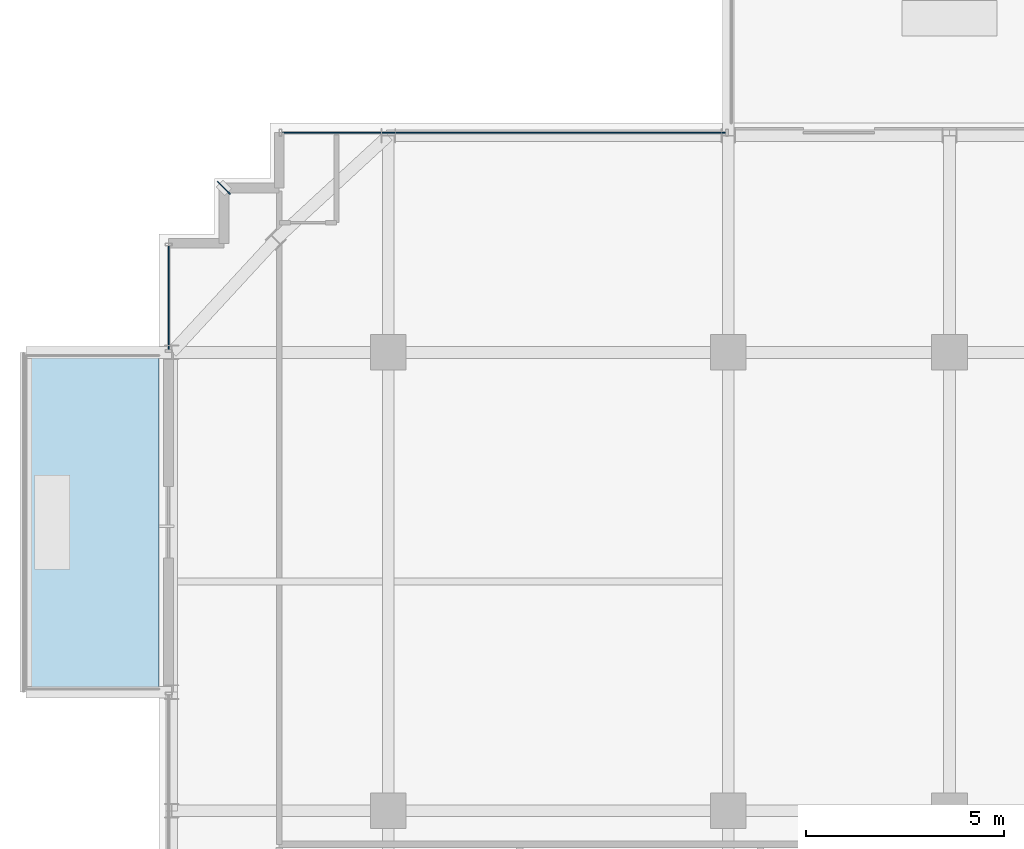
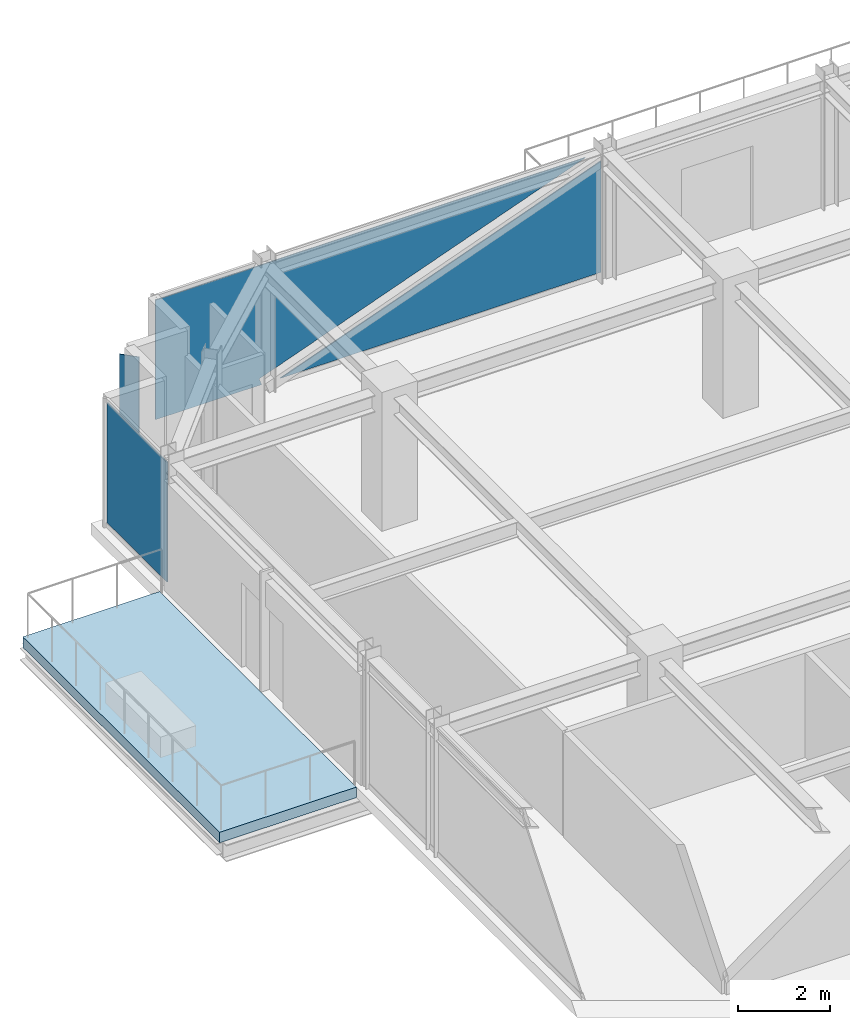
# One storey, part 28 of 36: 3 plates, 1 slab, 2 elements without a shape of their own.
"""IFC4 building model written with IfcOpenShell, lengths in metres."""

import ifcopenshell
import ifcopenshell.guid

model = None  # the IFC model being written
_history = None  # IfcOwnerHistory: only IFC2X3 demands one
_inside = {}  # id of a spatial element -> (the spatial element, [elements in it])
_under = {}  # id of a project, library or spatial element -> (it, [spatial elements below it])
_declared = {}  # id of a project -> (the project, [libraries it declares])
_typed = {}  # id of a type object -> (the type object, [elements of that type])
_made_of = {}  # id of a material, layer set ... -> (it, [elements and type objects made of it])


def new_model(schema):
    """Start an empty IFC model of exactly this schema.

    Asked for "IFC4X3", IfcOpenShell would pick the latest addendum, in which some entities
    have other attributes; the version numbers below select the first issue.
    IFC2X3 requires an IfcOwnerHistory on every rooted entity: one is made here for all.
    """
    global model, _history
    if schema == "IFC4X3":
        model = ifcopenshell.file(schema_version=(4, 3, 0, 0))
    else:
        model = ifcopenshell.file(schema=schema)
    _inside.clear()
    _under.clear()
    _declared.clear()
    _typed.clear()
    _made_of.clear()
    _history = None
    if model.schema == "IFC2X3":
        org = make("IfcOrganization", Name="unknown")
        user = make(
            "IfcPersonAndOrganization",
            ThePerson=make("IfcPerson", FamilyName="unknown"),
            TheOrganization=org,
        )
        app = make(
            "IfcApplication",
            ApplicationDeveloper=org,
            Version="unknown",
            ApplicationFullName="unknown",
            ApplicationIdentifier="unknown",
        )
        _history = make(
            "IfcOwnerHistory",
            OwningUser=user,
            OwningApplication=app,
            ChangeAction="ADDED",
            CreationDate=0,
        )
    return model


def make(cls, **values):
    """One entity of the class cls with the attributes given. An attribute that is None is left unset."""
    return model.create_entity(
        cls, **{name: value for name, value in values.items() if value is not None}
    )


def rooted(cls, **values):
    """An entity with a GlobalId (a new one), such as an element, a storey or a relation."""
    return make(cls, GlobalId=ifcopenshell.guid.new(), OwnerHistory=_history, **values)


def si_unit(unit_type, name, prefix=None):
    """IfcSIUnit, for example si_unit("LENGTHUNIT", "METRE", prefix="MILLI")."""
    return make("IfcSIUnit", UnitType=unit_type, Prefix=prefix, Name=name)


def assignment(units):
    """IfcUnitAssignment: the units of a project."""
    return None if units is None else make("IfcUnitAssignment", Units=units)


def point(xyz):
    """IfcCartesianPoint."""
    return None if xyz is None else make("IfcCartesianPoint", Coordinates=xyz)


def direction(xyz):
    """IfcDirection."""
    return None if xyz is None else make("IfcDirection", DirectionRatios=xyz)


def frame(location, z_axis=None, x_axis=None):
    """IfcAxis2Placement3D, a coordinate frame: its origin and axes. An axis left out is left unset."""
    return make(
        "IfcAxis2Placement3D",
        Location=point(location),
        Axis=direction(z_axis),
        RefDirection=direction(x_axis),
    )


def frame_2d(location, x_axis=None):
    """IfcAxis2Placement2D, a coordinate frame in the plane: its origin and x axis."""
    return make(
        "IfcAxis2Placement2D", Location=point(location), RefDirection=direction(x_axis)
    )


def origin():
    """The frame at (0, 0, 0) with its axes left unset."""
    return frame((0.0, 0.0, 0.0))


def origin_2d():
    """The frame at (0, 0) in the plane with its x axis left unset."""
    return frame_2d((0.0, 0.0))


def place(relative_to, where):
    """IfcLocalPlacement: puts the frame where relative to a parent placement (None: the world)."""
    return make(
        "IfcLocalPlacement", PlacementRelTo=relative_to, RelativePlacement=where
    )


def context(
    kind, dimensions, precision=None, world=None, true_north=None, identifier=None
):
    """IfcGeometricRepresentationContext, for example the 3D "Model" context."""
    return make(
        "IfcGeometricRepresentationContext",
        ContextIdentifier=identifier,
        ContextType=kind,
        CoordinateSpaceDimension=dimensions,
        Precision=precision,
        WorldCoordinateSystem=world,
        TrueNorth=true_north,
    )


def subcontext(parent, identifier, kind, view, scale=None):
    """IfcGeometricRepresentationSubContext, for example "Body" below "Model"."""
    return make(
        "IfcGeometricRepresentationSubContext",
        ContextIdentifier=identifier,
        ContextType=kind,
        ParentContext=parent,
        TargetScale=scale,
        TargetView=view,
    )


def project(units=None, contexts=None):
    """IfcProject with its units and contexts."""
    return rooted(
        "IfcProject",
        Name="project",
        RepresentationContexts=contexts,
        UnitsInContext=assignment(units),
    )


def spatial(cls, under=None, at=None, **own):
    """A site, building, storey or space (cls), placed at a placement, below another one or the project."""
    s = rooted(cls, ObjectPlacement=at, **own)
    if under is not None:
        _under.setdefault(under.id(), (under, []))[1].append(s)
    return s


def polyline(points):
    """IfcPolyline through the points."""
    return make("IfcPolyline", Points=[point(p) for p in points])


def profile(cls, at=None, kind="AREA", **sizes):
    """A parametric profile (cls). Its sizes go by their IFC names, for example OverallWidth=200.0."""
    return make(cls, ProfileType=kind, Position=at, **sizes)


def rectangle(**sizes):
    """IfcRectangleProfileDef."""
    return profile("IfcRectangleProfileDef", **sizes)


def outline(outer, holes=None, kind="AREA"):
    """IfcArbitraryClosedProfileDef: a profile drawn as a closed curve; with holes, ...WithVoids."""
    if holes is None:
        return make("IfcArbitraryClosedProfileDef", ProfileType=kind, OuterCurve=outer)
    return make(
        "IfcArbitraryProfileDefWithVoids",
        ProfileType=kind,
        OuterCurve=outer,
        InnerCurves=holes,
    )


def extrude(swept, where, along, depth):
    """IfcExtrudedAreaSolid: the profile swept, set in the frame where, extruded along a direction by depth."""
    return make(
        "IfcExtrudedAreaSolid",
        SweptArea=swept,
        Position=where,
        ExtrudedDirection=direction(along),
        Depth=depth,
    )


def shape(context_of_items, identifier, shape_type, items):
    """IfcShapeRepresentation: the items that make up one representation, for example the "Body"."""
    return make(
        "IfcShapeRepresentation",
        ContextOfItems=context_of_items,
        RepresentationIdentifier=identifier,
        RepresentationType=shape_type,
        Items=items,
    )


def source(mapping_origin, context_of_items, identifier, shape_type, items):
    """IfcRepresentationMap: a shape defined once, which mapped items show again and again."""
    return make(
        "IfcRepresentationMap",
        MappingOrigin=mapping_origin,
        MappedRepresentation=shape(context_of_items, identifier, shape_type, items),
    )


def transform(
    local_origin,
    x_axis=None,
    y_axis=None,
    z_axis=None,
    scale=None,
    scale2=None,
    scale3=None,
    uniform=True,
):
    """IfcCartesianTransformationOperator3D, or its non-uniform kind. x_axis, y_axis, z_axis: its Axis1, 2, 3."""
    if uniform:
        return make(
            "IfcCartesianTransformationOperator3D",
            Axis1=direction(x_axis),
            Axis2=direction(y_axis),
            LocalOrigin=point(local_origin),
            Scale=scale,
            Axis3=direction(z_axis),
        )
    return make(
        "IfcCartesianTransformationOperator3DnonUniform",
        Axis1=direction(x_axis),
        Axis2=direction(y_axis),
        LocalOrigin=point(local_origin),
        Scale=scale,
        Axis3=direction(z_axis),
        Scale2=scale2,
        Scale3=scale3,
    )


def mapped(mapping_source, mapping_target):
    """IfcMappedItem: shows the shape of a source again, moved by a transform."""
    return make(
        "IfcMappedItem", MappingSource=mapping_source, MappingTarget=mapping_target
    )


def material(Name=None, Category=None):
    """IfcMaterial."""
    return make("IfcMaterial", Name=Name, Category=Category)


def layer(
    of_material, thickness, ventilated=None, Name=None, Category=None, Priority=None
):
    """IfcMaterialLayer: one layer of a wall or slab, of a material (None: an air gap)."""
    return make(
        "IfcMaterialLayer",
        Material=of_material,
        LayerThickness=thickness,
        IsVentilated=ventilated,
        Name=Name,
        Category=Category,
        Priority=Priority,
    )


def layer_set(layers, Name=None):
    """IfcMaterialLayerSet."""
    return make("IfcMaterialLayerSet", MaterialLayers=layers, LayerSetName=Name)


def made_of(thing, what):
    """Note that an element or type object is made of a material, layer set ...; save() writes the relation."""
    if what is not None:
        _made_of.setdefault(what.id(), (what, []))[1].append(thing)
    return thing


def type_object(cls, material=None, **own):
    """A type object (cls), such as IfcWallType, which elements share."""
    return made_of(rooted(cls, **own), material)


def element(
    cls,
    number,
    at=None,
    inside=None,
    cuts=None,
    type_object=None,
    material=None,
    context=None,
    identifier="Body",
    shape_type=None,
    held_by="IfcProductDefinitionShape",
    body=None,
    shapes=None,
    **own,
):
    """One element of the class cls, such as IfcWall. Its Tag is "e" and its number.

    at: its placement. inside: the storey or other place that contains it. cuts: it is an
    opening in that element (IfcRelVoidsElement). A single representation is given by context,
    identifier, shape_type and body (its items); several are given by shapes. held_by: the class
    of the entity that holds the representations. save() writes the other relations.
    """
    e = rooted(cls, Tag="e%d" % number, ObjectPlacement=at, **own)
    if body is not None:
        shapes = [shape(context, identifier, shape_type, body)]
    if shapes is not None:
        e.Representation = make(held_by, Representations=shapes)
    if inside is not None:
        _inside.setdefault(inside.id(), (inside, []))[1].append(e)
    if cuts is not None:
        rooted(
            "IfcRelVoidsElement", RelatingBuildingElement=cuts, RelatedOpeningElement=e
        )
    if type_object is not None:
        _typed.setdefault(type_object.id(), (type_object, []))[1].append(e)
    return made_of(e, material)


def aggregate(whole, parts):
    """IfcRelAggregates: a whole, such as a stair, and the parts it consists of."""
    return rooted("IfcRelAggregates", RelatingObject=whole, RelatedObjects=parts)


def save(model, path):
    """Write the relations noted so far, then the file.

    IfcRelAggregates (storeys below a building ...), IfcRelContainedInSpatialStructure (elements
    in a storey), IfcRelDefinesByType, IfcRelAssociatesMaterial and IfcRelDeclares: one each for
    every whole, place, type object, material and project.
    """
    for whole, parts in _under.values():
        aggregate(whole, parts)
    for where, things in _inside.values():
        rooted(
            "IfcRelContainedInSpatialStructure",
            RelatedElements=things,
            RelatingStructure=where,
        )
    for kind, things in _typed.values():
        rooted("IfcRelDefinesByType", RelatedObjects=things, RelatingType=kind)
    for what, things in _made_of.values():
        rooted("IfcRelAssociatesMaterial", RelatedObjects=things, RelatingMaterial=what)
    for by, libraries in _declared.values():
        rooted("IfcRelDeclares", RelatingContext=by, RelatedDefinitions=libraries)
    model.write(path)


model = new_model("IFC4")

# Units and contexts
model_context = context("Model", 3, precision=1e-05, world=origin(), true_north=direction((0.0, 1.0)))
body_context = subcontext(model_context, "Body", "Model", "MODEL_VIEW")
ifc_project = project(units=[si_unit("LENGTHUNIT", "METRE"), si_unit("AREAUNIT", "SQUARE_METRE"), si_unit("VOLUMEUNIT", "CUBIC_METRE"), si_unit("PLANEANGLEUNIT", "RADIAN"), si_unit("MASSUNIT", "GRAM", prefix="KILO")], contexts=[model_context])

# Site, building, storey
site_placement = place(None, origin())
site = spatial("IfcSite", under=ifc_project, at=site_placement, CompositionType="ELEMENT")
building_placement = place(site_placement, origin())
building = spatial("IfcBuilding", under=site, at=building_placement, Name="Nahalor Promenade Grand Hotel", CompositionType="ELEMENT")
storey_placement = place(building_placement, frame((0.0, 0.0, 273.800048828125)))
storey = spatial("IfcBuildingStorey", under=building, at=storey_placement, Name="L70", CompositionType="ELEMENT", Elevation=273.800048828125)

# Curtain wall, plate
ifc_material_1 = material(Name="Anodised Bronze Aluminium EN AW-6063 T6", Category="aluminium")
curtain_wall_type = type_object("IfcCurtainWallType", Name="CW2 Typical Hotel Flush Bronze Unitised Curtain Wall", PredefinedType="USERDEFINED", material=ifc_material_1)
curtain_wall_1_placement = place(storey_placement, origin())
curtain_wall_1 = element("IfcCurtainWall", 1, at=curtain_wall_1_placement, inside=storey, type_object=curtain_wall_type, Name="L70 Curtain Wall CW-L70-N-1", ObjectType="UNITISED_CURTAIN_WALL", PredefinedType="USERDEFINED")
ifc_material_2 = material(Name="Low-E Laminated Solar Glass", Category="glass")
ifc_layer_1 = layer(ifc_material_2, 0.028076171875)
ifc_layer_set_1 = layer_set([ifc_layer_1], Name="Low-E Laminated Solar Glass")
plate_type_1 = type_object("IfcPlateType", Name="CWP2 Bronze Low-E Vision IGU 28mm", PredefinedType="CURTAIN_PANEL", material=ifc_layer_set_1)
plate_1_placement = place(storey_placement, frame((-14.080078125, 22.56005859375, 0.1298828125), z_axis=(0.0, 0.0, 1.0), x_axis=(1.0, 0.0, 0.0)))
plate_1 = element("IfcPlate", 2, at=plate_1_placement, type_object=plate_type_1, Name="CW-L70-N-1 Glazing Panel 0-0", PredefinedType="CURTAIN_PANEL", context=body_context, shape_type="SweptSolid", body=[
    extrude(outline(polyline([(-5.614990234375, 3.18994140625), (-5.614990234375, 0.0), (-2.939208984375, 0.0), (-3.003662109375, 0.17578125), (5.225830078125, 3.18994140625), (-5.614990234375, 3.18994140625)])), frame((0.0, 0.01416015625, 0.0), z_axis=(0.0, -1.0, 0.0), x_axis=(1.0, 0.0, 0.0)), (0.0, 0.0, 1.0), 0.028076171875),
    extrude(outline(polyline([(-2.4658203125, 0.0), (5.614990234375, 0.0), (5.614990234375, 2.959716796875), (-2.4658203125, 0.0)])), frame((0.0, 0.01416015625, 0.0), z_axis=(0.0, -1.0, 0.0), x_axis=(1.0, 0.0, 0.0)), (0.0, 0.0, 1.0), 0.028076171875),
])
aggregate(curtain_wall_1, [plate_1])

# Slab
ifc_material_3 = material(Name="Concrete B-50 (C40/50)", Category="concrete")
ifc_layer_2 = layer(ifc_material_3, 0.280029296875)
ifc_layer_set_2 = layer_set([ifc_layer_2], Name="Concrete B-50 (C40/50)")
slab_type = type_object("IfcSlabType", Name="Slab-Balcony-280", PredefinedType="FLOOR", material=ifc_layer_set_2)
slab_placement = place(storey_placement, frame((0.0, 0.0, -0.280029296875)))
element("IfcSlab", 3, at=slab_placement, inside=storey, type_object=slab_type, Name="L70 Cantilevered Planted Balcony 2", PredefinedType="FLOOR", context=body_context, shape_type="SweptSolid", body=[
    extrude(outline(polyline([(-26.25, 8.39990234375), (-22.800048828125, 8.39990234375), (-22.800048828125, 17.0), (-26.25, 17.0), (-26.25, 8.39990234375)])), origin(), (0.0, 0.0, 1.0), 0.280029296875),
])

# Plate
ifc_layer_3 = layer(ifc_material_1, 0.02001953125)
ifc_layer_set_3 = layer_set([ifc_layer_3], Name="Anodised Bronze Aluminium EN AW-6063 T6")
plate_type_2 = type_object("IfcPlateType", Name="Plate-CornerFin-20", PredefinedType="SHEET", material=ifc_layer_set_3)
shared_shape_1 = source(origin(), body_context, "Body", "SweptSolid", [
    extrude(rectangle(XDim=0.449951171875, YDim=0.02001953125, at=origin_2d()), origin(), (0.0, 0.0, 1.0), 3.199951171875),
])
plate_2_placement = place(storey_placement, frame((-21.159912109375, 21.159912109375, 0.0), z_axis=(0.0, 0.0, 1.0), x_axis=(-0.707106781187, 0.707106781187, 0.0)))
element("IfcPlate", 4, at=plate_2_placement, inside=storey, type_object=plate_type_2, Name="FIN-L70-NW", PredefinedType="SHEET", context=body_context, shape_type="MappedRepresentation", body=[
    mapped(shared_shape_1, transform((0.0, 0.0, 0.0), scale=1.0)),
])

# Curtain wall, plate
curtain_wall_2_placement = place(storey_placement, origin())
curtain_wall_2 = element("IfcCurtainWall", 5, at=curtain_wall_2_placement, inside=storey, type_object=curtain_wall_type, Name="L70 Curtain Wall CW-L70-W-3", ObjectType="UNITISED_CURTAIN_WALL", PredefinedType="USERDEFINED")
shared_shape_2 = source(origin(), body_context, "Body", "SweptSolid", [
    extrude(rectangle(XDim=2.6298828125, YDim=0.028076171875, at=origin_2d()), origin(), (0.0, 0.0, 1.0), 3.18994140625),
])
plate_3_placement = place(storey_placement, frame((-22.56005859375, 18.3798828125, 0.1298828125), z_axis=(0.0, 0.0, 1.0), x_axis=(0.0, 1.0, 0.0)))
plate_3 = element("IfcPlate", 6, at=plate_3_placement, type_object=plate_type_1, Name="CW-L70-W-3 Glazing Panel 0-0", PredefinedType="CURTAIN_PANEL", context=body_context, shape_type="MappedRepresentation", body=[
    mapped(shared_shape_2, transform((0.0, 0.0, 0.0), scale=1.0)),
])
aggregate(curtain_wall_2, [plate_3])

save(model, "model.ifc")
